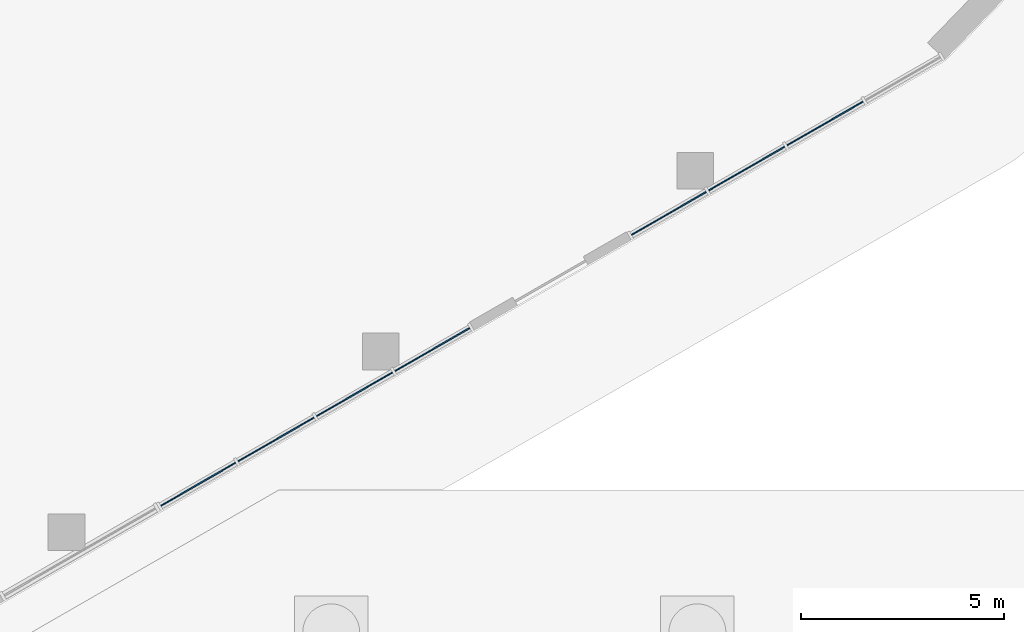
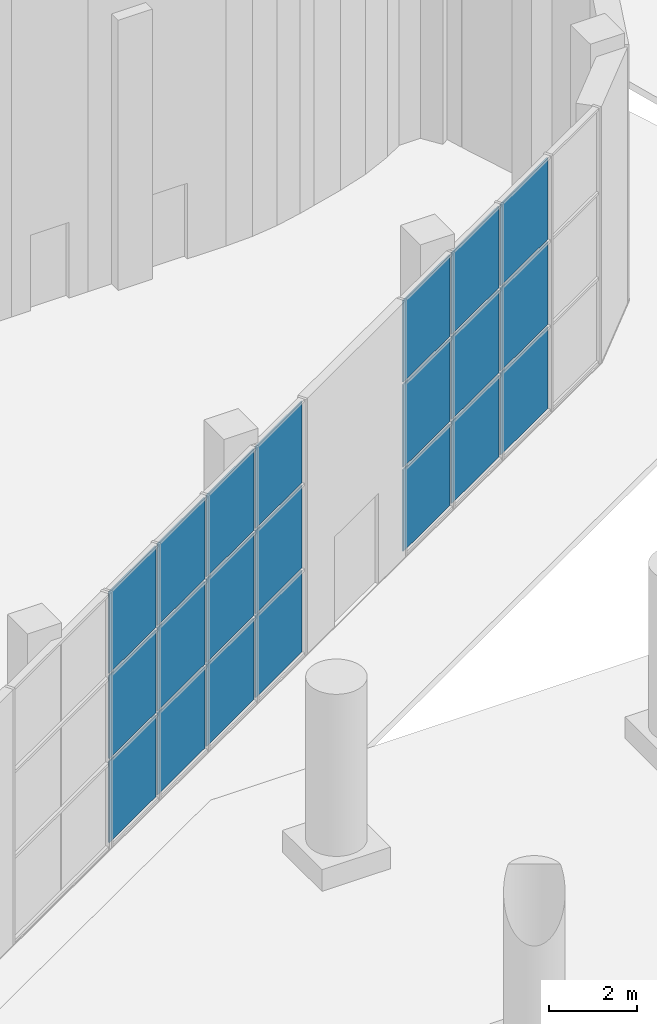
# One storey, part 7 of 30: 21 plates, 2 elements without a shape of their own.
"""IFC4 building model written with IfcOpenShell, lengths in metres."""

from ifc_helpers import new_model, si_unit, direction, frame, origin, origin_2d, place, context, subcontext, project, spatial, rectangle, extrude, material, layer, layer_set, type_object, element, aggregate, save


model = new_model("IFC4")

# Units and contexts
model_context = context("Model", 3, precision=1e-05, world=origin(), true_north=direction((0.0, 1.0)))
body_context = subcontext(model_context, "Body", "Model", "MODEL_VIEW")
ifc_project = project(units=[si_unit("LENGTHUNIT", "METRE"), si_unit("AREAUNIT", "SQUARE_METRE"), si_unit("VOLUMEUNIT", "CUBIC_METRE"), si_unit("PLANEANGLEUNIT", "RADIAN"), si_unit("MASSUNIT", "GRAM", prefix="KILO")], contexts=[model_context])

# Site, building, storey
site_placement = place(None, origin())
site = spatial("IfcSite", under=ifc_project, at=site_placement, CompositionType="ELEMENT")
building_placement = place(site_placement, origin())
building = spatial("IfcBuilding", under=site, at=building_placement, Name="Skarvind Civic Tower", CompositionType="ELEMENT")
storey_placement = place(building_placement, origin())
storey = spatial("IfcBuildingStorey", under=building, at=storey_placement, Name="L00", CompositionType="ELEMENT", Elevation=0.0)

# Curtain wall, plates
ifc_material_1 = material(Name="Aluminium alloy 6063 and laminated glass", Category="aluminium")
curtain_wall_type = type_object("IfcCurtainWallType", Name="CW2 TOWER ENTRANCE LOBBY GLAZING", PredefinedType="NOTDEFINED", material=ifc_material_1)
curtain_wall_1_placement = place(storey_placement, origin())
curtain_wall_1 = element("IfcCurtainWall", 1, at=curtain_wall_1_placement, inside=storey, type_object=curtain_wall_type, Name="TOWER ENTRANCE LOBBY GLAZING", PredefinedType="NOTDEFINED")
ifc_material_2 = material(Name="Laminated low-iron glass", Category="glass")
ifc_layer = layer(ifc_material_2, 0.031982421875)
ifc_layer_set = layer_set([ifc_layer], Name="CW2 GLASS PANEL 32")
plate_type = type_object("IfcPlateType", Name="CW2 GLASS PANEL 32", PredefinedType="CURTAIN_PANEL", material=ifc_layer_set)
plate_1_placement = place(storey_placement, frame((107.64013671875, 99.009033203125, 0.070068359375), z_axis=(0.0, 0.0, 1.0), x_axis=(-0.866700058916, -0.498829638128, 0.0)))
plate_1 = element("IfcPlate", 2, at=plate_1_placement, type_object=plate_type, Name="CW2 panel 2.1", PredefinedType="CURTAIN_PANEL", context=body_context, shape_type="SweptSolid", body=[
    extrude(rectangle(XDim=2.154296875, YDim=0.031982421875, at=origin_2d()), origin(), (0.0, 0.0, 1.0), 2.26171875),
])
plate_2_placement = place(storey_placement, frame((107.64013671875, 99.009033203125, 2.40185546875), z_axis=(0.0, 0.0, 1.0), x_axis=(-0.866700058916, -0.498829638128, 0.0)))
plate_2 = element("IfcPlate", 3, at=plate_2_placement, type_object=plate_type, Name="CW2 panel 2.2", PredefinedType="CURTAIN_PANEL", context=body_context, shape_type="SweptSolid", body=[
    extrude(rectangle(XDim=2.154296875, YDim=0.031982421875, at=origin_2d()), origin(), (0.0, 0.0, 1.0), 2.296630859375),
])
plate_3_placement = place(storey_placement, frame((107.64013671875, 99.009033203125, 4.768310546875), z_axis=(0.0, 0.0, 1.0), x_axis=(-0.866700058916, -0.498829638128, 0.0)))
plate_3 = element("IfcPlate", 4, at=plate_3_placement, type_object=plate_type, Name="CW2 panel 2.3", PredefinedType="CURTAIN_PANEL", context=body_context, shape_type="SweptSolid", body=[
    extrude(rectangle(XDim=2.154296875, YDim=0.031982421875, at=origin_2d()), origin(), (0.0, 0.0, 1.0), 2.26171875),
])
plate_4_placement = place(storey_placement, frame((105.712158203125, 97.8994140625, 0.070068359375), z_axis=(0.0, 0.0, 1.0), x_axis=(-0.866700058916, -0.498829638128, 0.0)))
plate_4 = element("IfcPlate", 5, at=plate_4_placement, type_object=plate_type, Name="CW2 panel 3.1", PredefinedType="CURTAIN_PANEL", context=body_context, shape_type="SweptSolid", body=[
    extrude(rectangle(XDim=2.154296875, YDim=0.031982421875, at=origin_2d()), origin(), (0.0, 0.0, 1.0), 2.26171875),
])
plate_5_placement = place(storey_placement, frame((105.712158203125, 97.8994140625, 2.40185546875), z_axis=(0.0, 0.0, 1.0), x_axis=(-0.866700058916, -0.498829638128, 0.0)))
plate_5 = element("IfcPlate", 6, at=plate_5_placement, type_object=plate_type, Name="CW2 panel 3.2", PredefinedType="CURTAIN_PANEL", context=body_context, shape_type="SweptSolid", body=[
    extrude(rectangle(XDim=2.154296875, YDim=0.031982421875, at=origin_2d()), origin(), (0.0, 0.0, 1.0), 2.296630859375),
])
plate_6_placement = place(storey_placement, frame((105.712158203125, 97.8994140625, 4.768310546875), z_axis=(0.0, 0.0, 1.0), x_axis=(-0.866700058916, -0.498829638128, 0.0)))
plate_6 = element("IfcPlate", 7, at=plate_6_placement, type_object=plate_type, Name="CW2 panel 3.3", PredefinedType="CURTAIN_PANEL", context=body_context, shape_type="SweptSolid", body=[
    extrude(rectangle(XDim=2.154296875, YDim=0.031982421875, at=origin_2d()), origin(), (0.0, 0.0, 1.0), 2.26171875),
])
plate_7_placement = place(storey_placement, frame((103.799560546875, 96.798583984375, 0.070068359375), z_axis=(0.0, 0.0, 1.0), x_axis=(-0.866700058916, -0.498829638128, 0.0)))
plate_7 = element("IfcPlate", 8, at=plate_7_placement, type_object=plate_type, Name="CW2 panel 4.1", PredefinedType="CURTAIN_PANEL", context=body_context, shape_type="SweptSolid", body=[
    extrude(rectangle(XDim=2.119384765625, YDim=0.031982421875, at=origin_2d()), origin(), (0.0, 0.0, 1.0), 2.26171875),
])
plate_8_placement = place(storey_placement, frame((103.799560546875, 96.798583984375, 2.40185546875), z_axis=(0.0, 0.0, 1.0), x_axis=(-0.866700058916, -0.498829638128, 0.0)))
plate_8 = element("IfcPlate", 9, at=plate_8_placement, type_object=plate_type, Name="CW2 panel 4.2", PredefinedType="CURTAIN_PANEL", context=body_context, shape_type="SweptSolid", body=[
    extrude(rectangle(XDim=2.119384765625, YDim=0.031982421875, at=origin_2d()), origin(), (0.0, 0.0, 1.0), 2.296630859375),
])
plate_9_placement = place(storey_placement, frame((103.799560546875, 96.798583984375, 4.768310546875), z_axis=(0.0, 0.0, 1.0), x_axis=(-0.866700058916, -0.498829638128, 0.0)))
plate_9 = element("IfcPlate", 10, at=plate_9_placement, type_object=plate_type, Name="CW2 panel 4.3", PredefinedType="CURTAIN_PANEL", context=body_context, shape_type="SweptSolid", body=[
    extrude(rectangle(XDim=2.119384765625, YDim=0.031982421875, at=origin_2d()), origin(), (0.0, 0.0, 1.0), 2.26171875),
])
aggregate(curtain_wall_1, [plate_1, plate_2, plate_3, plate_4, plate_5, plate_6, plate_7, plate_8, plate_9])

curtain_wall_2_placement = place(storey_placement, origin())
curtain_wall_2 = element("IfcCurtainWall", 11, at=curtain_wall_2_placement, inside=storey, type_object=curtain_wall_type, Name="TOWER ENTRANCE LOBBY GLAZING", PredefinedType="NOTDEFINED")
plate_10_placement = place(storey_placement, frame((97.985595703125, 93.452392578125, 0.070068359375), z_axis=(0.0, 0.0, 1.0), x_axis=(-0.866700058916, -0.498829638128, 0.0)))
plate_10 = element("IfcPlate", 12, at=plate_10_placement, type_object=plate_type, Name="CW2 panel 1.1", PredefinedType="CURTAIN_PANEL", context=body_context, shape_type="SweptSolid", body=[
    extrude(rectangle(XDim=2.119384765625, YDim=0.031982421875, at=origin_2d()), origin(), (0.0, 0.0, 1.0), 2.26171875),
])
plate_11_placement = place(storey_placement, frame((97.985595703125, 93.452392578125, 2.40185546875), z_axis=(0.0, 0.0, 1.0), x_axis=(-0.866700058916, -0.498829638128, 0.0)))
plate_11 = element("IfcPlate", 13, at=plate_11_placement, type_object=plate_type, Name="CW2 panel 1.2", PredefinedType="CURTAIN_PANEL", context=body_context, shape_type="SweptSolid", body=[
    extrude(rectangle(XDim=2.119384765625, YDim=0.031982421875, at=origin_2d()), origin(), (0.0, 0.0, 1.0), 2.296630859375),
])
plate_12_placement = place(storey_placement, frame((97.985595703125, 93.452392578125, 4.768310546875), z_axis=(0.0, 0.0, 1.0), x_axis=(-0.866700058916, -0.498829638128, 0.0)))
plate_12 = element("IfcPlate", 14, at=plate_12_placement, type_object=plate_type, Name="CW2 panel 1.3", PredefinedType="CURTAIN_PANEL", context=body_context, shape_type="SweptSolid", body=[
    extrude(rectangle(XDim=2.119384765625, YDim=0.031982421875, at=origin_2d()), origin(), (0.0, 0.0, 1.0), 2.26171875),
])
plate_13_placement = place(storey_placement, frame((96.072998046875, 92.3515625, 0.070068359375), z_axis=(0.0, 0.0, 1.0), x_axis=(-0.866700058916, -0.498829638128, 0.0)))
plate_13 = element("IfcPlate", 15, at=plate_13_placement, type_object=plate_type, Name="CW2 panel 2.1", PredefinedType="CURTAIN_PANEL", context=body_context, shape_type="SweptSolid", body=[
    extrude(rectangle(XDim=2.154296875, YDim=0.031982421875, at=origin_2d()), origin(), (0.0, 0.0, 1.0), 2.26171875),
])
plate_14_placement = place(storey_placement, frame((96.072998046875, 92.3515625, 2.40185546875), z_axis=(0.0, 0.0, 1.0), x_axis=(-0.866700058916, -0.498829638128, 0.0)))
plate_14 = element("IfcPlate", 16, at=plate_14_placement, type_object=plate_type, Name="CW2 panel 2.2", PredefinedType="CURTAIN_PANEL", context=body_context, shape_type="SweptSolid", body=[
    extrude(rectangle(XDim=2.154296875, YDim=0.031982421875, at=origin_2d()), origin(), (0.0, 0.0, 1.0), 2.296630859375),
])
plate_15_placement = place(storey_placement, frame((96.072998046875, 92.3515625, 4.768310546875), z_axis=(0.0, 0.0, 1.0), x_axis=(-0.866700058916, -0.498829638128, 0.0)))
plate_15 = element("IfcPlate", 17, at=plate_15_placement, type_object=plate_type, Name="CW2 panel 2.3", PredefinedType="CURTAIN_PANEL", context=body_context, shape_type="SweptSolid", body=[
    extrude(rectangle(XDim=2.154296875, YDim=0.031982421875, at=origin_2d()), origin(), (0.0, 0.0, 1.0), 2.26171875),
])
plate_16_placement = place(storey_placement, frame((94.145263671875, 91.241943359375, 0.070068359375), z_axis=(0.0, 0.0, 1.0), x_axis=(-0.866700058916, -0.498829638128, 0.0)))
plate_16 = element("IfcPlate", 18, at=plate_16_placement, type_object=plate_type, Name="CW2 panel 3.1", PredefinedType="CURTAIN_PANEL", context=body_context, shape_type="SweptSolid", body=[
    extrude(rectangle(XDim=2.154296875, YDim=0.031982421875, at=origin_2d()), origin(), (0.0, 0.0, 1.0), 2.26171875),
])
plate_17_placement = place(storey_placement, frame((94.145263671875, 91.241943359375, 2.40185546875), z_axis=(0.0, 0.0, 1.0), x_axis=(-0.866700058916, -0.498829638128, 0.0)))
plate_17 = element("IfcPlate", 19, at=plate_17_placement, type_object=plate_type, Name="CW2 panel 3.2", PredefinedType="CURTAIN_PANEL", context=body_context, shape_type="SweptSolid", body=[
    extrude(rectangle(XDim=2.154296875, YDim=0.031982421875, at=origin_2d()), origin(), (0.0, 0.0, 1.0), 2.296630859375),
])
plate_18_placement = place(storey_placement, frame((94.145263671875, 91.241943359375, 4.768310546875), z_axis=(0.0, 0.0, 1.0), x_axis=(-0.866700058916, -0.498829638128, 0.0)))
plate_18 = element("IfcPlate", 20, at=plate_18_placement, type_object=plate_type, Name="CW2 panel 3.3", PredefinedType="CURTAIN_PANEL", context=body_context, shape_type="SweptSolid", body=[
    extrude(rectangle(XDim=2.154296875, YDim=0.031982421875, at=origin_2d()), origin(), (0.0, 0.0, 1.0), 2.26171875),
])
plate_19_placement = place(storey_placement, frame((92.232421875, 90.14111328125, 0.070068359375), z_axis=(0.0, 0.0, 1.0), x_axis=(-0.866700058916, -0.498829638128, 0.0)))
plate_19 = element("IfcPlate", 21, at=plate_19_placement, type_object=plate_type, Name="CW2 panel 4.1", PredefinedType="CURTAIN_PANEL", context=body_context, shape_type="SweptSolid", body=[
    extrude(rectangle(XDim=2.119384765625, YDim=0.031982421875, at=origin_2d()), origin(), (0.0, 0.0, 1.0), 2.26171875),
])
plate_20_placement = place(storey_placement, frame((92.232421875, 90.14111328125, 2.40185546875), z_axis=(0.0, 0.0, 1.0), x_axis=(-0.866700058916, -0.498829638128, 0.0)))
plate_20 = element("IfcPlate", 22, at=plate_20_placement, type_object=plate_type, Name="CW2 panel 4.2", PredefinedType="CURTAIN_PANEL", context=body_context, shape_type="SweptSolid", body=[
    extrude(rectangle(XDim=2.119384765625, YDim=0.031982421875, at=origin_2d()), origin(), (0.0, 0.0, 1.0), 2.296630859375),
])
plate_21_placement = place(storey_placement, frame((92.232421875, 90.14111328125, 4.768310546875), z_axis=(0.0, 0.0, 1.0), x_axis=(-0.866700058916, -0.498829638128, 0.0)))
plate_21 = element("IfcPlate", 23, at=plate_21_placement, type_object=plate_type, Name="CW2 panel 4.3", PredefinedType="CURTAIN_PANEL", context=body_context, shape_type="SweptSolid", body=[
    extrude(rectangle(XDim=2.119384765625, YDim=0.031982421875, at=origin_2d()), origin(), (0.0, 0.0, 1.0), 2.26171875),
])
aggregate(curtain_wall_2, [plate_10, plate_11, plate_12, plate_13, plate_14, plate_15, plate_16, plate_17, plate_18, plate_19, plate_20, plate_21])

save(model, "model.ifc")
